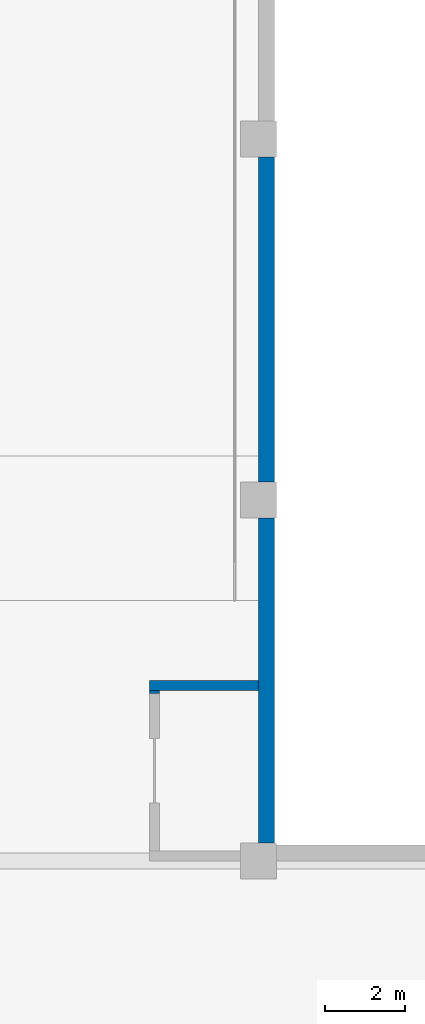
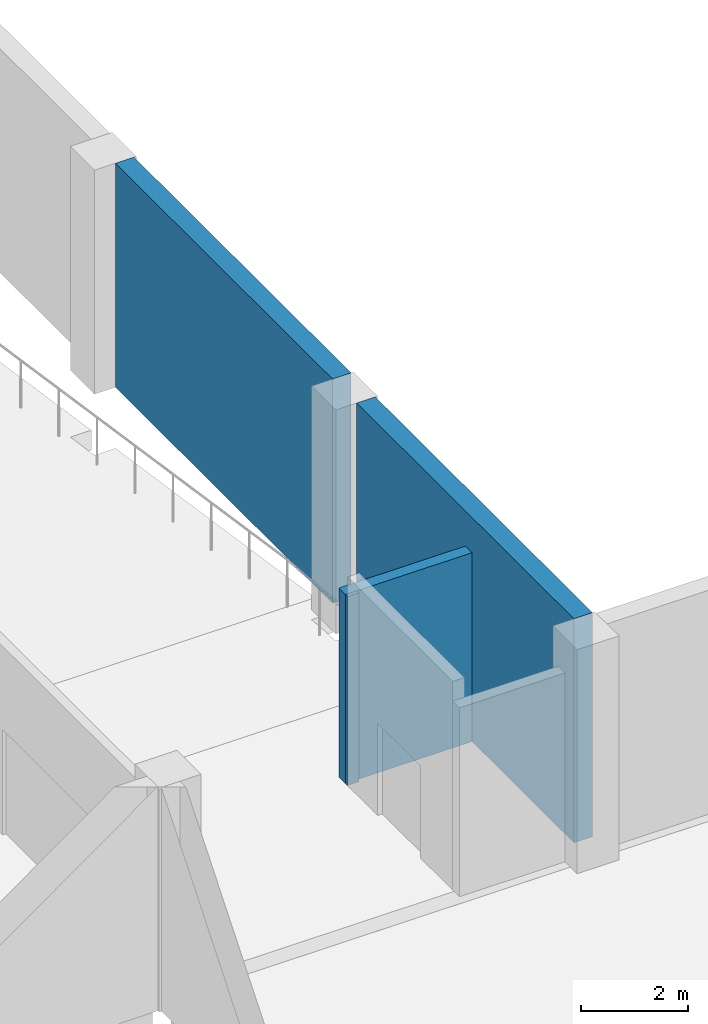
# One storey, part 6 of 16: 4 walls.
"""IFC4 building model written with IfcOpenShell, lengths in metres."""

import ifcopenshell
import ifcopenshell.guid

model = None  # the IFC model being written
_history = None  # IfcOwnerHistory: only IFC2X3 demands one
_inside = {}  # id of a spatial element -> (the spatial element, [elements in it])
_under = {}  # id of a project, library or spatial element -> (it, [spatial elements below it])
_declared = {}  # id of a project -> (the project, [libraries it declares])
_typed = {}  # id of a type object -> (the type object, [elements of that type])
_made_of = {}  # id of a material, layer set ... -> (it, [elements and type objects made of it])


def new_model(schema):
    """Start an empty IFC model of exactly this schema.

    Asked for "IFC4X3", IfcOpenShell would pick the latest addendum, in which some entities
    have other attributes; the version numbers below select the first issue.
    IFC2X3 requires an IfcOwnerHistory on every rooted entity: one is made here for all.
    """
    global model, _history
    if schema == "IFC4X3":
        model = ifcopenshell.file(schema_version=(4, 3, 0, 0))
    else:
        model = ifcopenshell.file(schema=schema)
    _inside.clear()
    _under.clear()
    _declared.clear()
    _typed.clear()
    _made_of.clear()
    _history = None
    if model.schema == "IFC2X3":
        org = make("IfcOrganization", Name="unknown")
        user = make(
            "IfcPersonAndOrganization",
            ThePerson=make("IfcPerson", FamilyName="unknown"),
            TheOrganization=org,
        )
        app = make(
            "IfcApplication",
            ApplicationDeveloper=org,
            Version="unknown",
            ApplicationFullName="unknown",
            ApplicationIdentifier="unknown",
        )
        _history = make(
            "IfcOwnerHistory",
            OwningUser=user,
            OwningApplication=app,
            ChangeAction="ADDED",
            CreationDate=0,
        )
    return model


def make(cls, **values):
    """One entity of the class cls with the attributes given. An attribute that is None is left unset."""
    return model.create_entity(
        cls, **{name: value for name, value in values.items() if value is not None}
    )


def rooted(cls, **values):
    """An entity with a GlobalId (a new one), such as an element, a storey or a relation."""
    return make(cls, GlobalId=ifcopenshell.guid.new(), OwnerHistory=_history, **values)


def si_unit(unit_type, name, prefix=None):
    """IfcSIUnit, for example si_unit("LENGTHUNIT", "METRE", prefix="MILLI")."""
    return make("IfcSIUnit", UnitType=unit_type, Prefix=prefix, Name=name)


def assignment(units):
    """IfcUnitAssignment: the units of a project."""
    return None if units is None else make("IfcUnitAssignment", Units=units)


def point(xyz):
    """IfcCartesianPoint."""
    return None if xyz is None else make("IfcCartesianPoint", Coordinates=xyz)


def direction(xyz):
    """IfcDirection."""
    return None if xyz is None else make("IfcDirection", DirectionRatios=xyz)


def frame(location, z_axis=None, x_axis=None):
    """IfcAxis2Placement3D, a coordinate frame: its origin and axes. An axis left out is left unset."""
    return make(
        "IfcAxis2Placement3D",
        Location=point(location),
        Axis=direction(z_axis),
        RefDirection=direction(x_axis),
    )


def frame_2d(location, x_axis=None):
    """IfcAxis2Placement2D, a coordinate frame in the plane: its origin and x axis."""
    return make(
        "IfcAxis2Placement2D", Location=point(location), RefDirection=direction(x_axis)
    )


def origin():
    """The frame at (0, 0, 0) with its axes left unset."""
    return frame((0.0, 0.0, 0.0))


def place(relative_to, where):
    """IfcLocalPlacement: puts the frame where relative to a parent placement (None: the world)."""
    return make(
        "IfcLocalPlacement", PlacementRelTo=relative_to, RelativePlacement=where
    )


def context(
    kind, dimensions, precision=None, world=None, true_north=None, identifier=None
):
    """IfcGeometricRepresentationContext, for example the 3D "Model" context."""
    return make(
        "IfcGeometricRepresentationContext",
        ContextIdentifier=identifier,
        ContextType=kind,
        CoordinateSpaceDimension=dimensions,
        Precision=precision,
        WorldCoordinateSystem=world,
        TrueNorth=true_north,
    )


def subcontext(parent, identifier, kind, view, scale=None):
    """IfcGeometricRepresentationSubContext, for example "Body" below "Model"."""
    return make(
        "IfcGeometricRepresentationSubContext",
        ContextIdentifier=identifier,
        ContextType=kind,
        ParentContext=parent,
        TargetScale=scale,
        TargetView=view,
    )


def project(units=None, contexts=None):
    """IfcProject with its units and contexts."""
    return rooted(
        "IfcProject",
        Name="project",
        RepresentationContexts=contexts,
        UnitsInContext=assignment(units),
    )


def spatial(cls, under=None, at=None, **own):
    """A site, building, storey or space (cls), placed at a placement, below another one or the project."""
    s = rooted(cls, ObjectPlacement=at, **own)
    if under is not None:
        _under.setdefault(under.id(), (under, []))[1].append(s)
    return s


def profile(cls, at=None, kind="AREA", **sizes):
    """A parametric profile (cls). Its sizes go by their IFC names, for example OverallWidth=200.0."""
    return make(cls, ProfileType=kind, Position=at, **sizes)


def rectangle(**sizes):
    """IfcRectangleProfileDef."""
    return profile("IfcRectangleProfileDef", **sizes)


def extrude(swept, where, along, depth):
    """IfcExtrudedAreaSolid: the profile swept, set in the frame where, extruded along a direction by depth."""
    return make(
        "IfcExtrudedAreaSolid",
        SweptArea=swept,
        Position=where,
        ExtrudedDirection=direction(along),
        Depth=depth,
    )


def shape(context_of_items, identifier, shape_type, items):
    """IfcShapeRepresentation: the items that make up one representation, for example the "Body"."""
    return make(
        "IfcShapeRepresentation",
        ContextOfItems=context_of_items,
        RepresentationIdentifier=identifier,
        RepresentationType=shape_type,
        Items=items,
    )


def material(Name=None, Category=None):
    """IfcMaterial."""
    return make("IfcMaterial", Name=Name, Category=Category)


def layer(
    of_material, thickness, ventilated=None, Name=None, Category=None, Priority=None
):
    """IfcMaterialLayer: one layer of a wall or slab, of a material (None: an air gap)."""
    return make(
        "IfcMaterialLayer",
        Material=of_material,
        LayerThickness=thickness,
        IsVentilated=ventilated,
        Name=Name,
        Category=Category,
        Priority=Priority,
    )


def layer_set(layers, Name=None):
    """IfcMaterialLayerSet."""
    return make("IfcMaterialLayerSet", MaterialLayers=layers, LayerSetName=Name)


def made_of(thing, what):
    """Note that an element or type object is made of a material, layer set ...; save() writes the relation."""
    if what is not None:
        _made_of.setdefault(what.id(), (what, []))[1].append(thing)
    return thing


def type_object(cls, material=None, **own):
    """A type object (cls), such as IfcWallType, which elements share."""
    return made_of(rooted(cls, **own), material)


def element(
    cls,
    number,
    at=None,
    inside=None,
    cuts=None,
    type_object=None,
    material=None,
    context=None,
    identifier="Body",
    shape_type=None,
    held_by="IfcProductDefinitionShape",
    body=None,
    shapes=None,
    **own,
):
    """One element of the class cls, such as IfcWall. Its Tag is "e" and its number.

    at: its placement. inside: the storey or other place that contains it. cuts: it is an
    opening in that element (IfcRelVoidsElement). A single representation is given by context,
    identifier, shape_type and body (its items); several are given by shapes. held_by: the class
    of the entity that holds the representations. save() writes the other relations.
    """
    e = rooted(cls, Tag="e%d" % number, ObjectPlacement=at, **own)
    if body is not None:
        shapes = [shape(context, identifier, shape_type, body)]
    if shapes is not None:
        e.Representation = make(held_by, Representations=shapes)
    if inside is not None:
        _inside.setdefault(inside.id(), (inside, []))[1].append(e)
    if cuts is not None:
        rooted(
            "IfcRelVoidsElement", RelatingBuildingElement=cuts, RelatedOpeningElement=e
        )
    if type_object is not None:
        _typed.setdefault(type_object.id(), (type_object, []))[1].append(e)
    return made_of(e, material)


def aggregate(whole, parts):
    """IfcRelAggregates: a whole, such as a stair, and the parts it consists of."""
    return rooted("IfcRelAggregates", RelatingObject=whole, RelatedObjects=parts)


def save(model, path):
    """Write the relations noted so far, then the file.

    IfcRelAggregates (storeys below a building ...), IfcRelContainedInSpatialStructure (elements
    in a storey), IfcRelDefinesByType, IfcRelAssociatesMaterial and IfcRelDeclares: one each for
    every whole, place, type object, material and project.
    """
    for whole, parts in _under.values():
        aggregate(whole, parts)
    for where, things in _inside.values():
        rooted(
            "IfcRelContainedInSpatialStructure",
            RelatedElements=things,
            RelatingStructure=where,
        )
    for kind, things in _typed.values():
        rooted("IfcRelDefinesByType", RelatedObjects=things, RelatingType=kind)
    for what, things in _made_of.values():
        rooted("IfcRelAssociatesMaterial", RelatedObjects=things, RelatingMaterial=what)
    for by, libraries in _declared.values():
        rooted("IfcRelDeclares", RelatingContext=by, RelatedDefinitions=libraries)
    model.write(path)


model = new_model("IFC4")

# Units and contexts
model_context = context("Model", 3, precision=1e-05, world=origin(), true_north=direction((0.0, 1.0)))
body_context = subcontext(model_context, "Body", "Model", "MODEL_VIEW")
ifc_project = project(units=[si_unit("LENGTHUNIT", "METRE"), si_unit("AREAUNIT", "SQUARE_METRE"), si_unit("VOLUMEUNIT", "CUBIC_METRE"), si_unit("PLANEANGLEUNIT", "RADIAN"), si_unit("MASSUNIT", "GRAM", prefix="KILO")], contexts=[model_context])

# Site, building, storey
site_placement = place(None, origin())
site = spatial("IfcSite", under=ifc_project, at=site_placement, CompositionType="ELEMENT")
building_placement = place(site_placement, origin())
building = spatial("IfcBuilding", under=site, at=building_placement, Name="Guidao Yard Department Store", CompositionType="ELEMENT")
storey_placement = place(building_placement, frame((0.0, 0.0, -5.10009765625)))
storey = spatial("IfcBuildingStorey", under=building, at=storey_placement, Name="B1", CompositionType="ELEMENT", Elevation=-5.10009765625)

# Walls
ifc_material_1 = material(Name="Concrete C40", Category="concrete")
ifc_layer_1 = layer(ifc_material_1, 0.39990234375)
ifc_layer_set_1 = layer_set([ifc_layer_1], Name="Retaining wall 400 C40")
wall_type_1 = type_object("IfcWallType", Name="Retaining wall 400 C40", PredefinedType="SOLIDWALL", material=ifc_layer_set_1)
for number, where, z_axis, x_axis, name in (
    (1, (108.199951171875, 45.449951171875, 0.0), (0.0, 0.0, 1.0), (0.0, 1.0, 0.0), "Retaining wall B1-036"),
    (2, (108.199951171875, 54.449951171875, 0.0), (0.0, 0.0, 1.0), (0.0, 1.0, 0.0), "Retaining wall B1-038"),
):
    element("IfcWall", number, at=place(storey_placement, frame(where, z_axis=z_axis, x_axis=x_axis)), inside=storey, type_object=wall_type_1, Name=name, PredefinedType="SOLIDWALL", context=body_context, shape_type="SweptSolid", body=[
        extrude(rectangle(XDim=8.10009765625, YDim=0.39990234375, at=frame_2d((4.050048828125, 0.0))), origin(), (0.0, 0.0, 1.0), 5.10009765625),
    ])
ifc_material_2 = material(Name="Concrete C40", Category="concrete")
ifc_layer_2 = layer(ifc_material_2, 0.25)
ifc_layer_set_2 = layer_set([ifc_layer_2], Name="Support Wall 250 Concrete C40")
wall_type_2 = type_object("IfcWallType", Name="Support Wall 250 Concrete C40", PredefinedType="SOLIDWALL", material=ifc_layer_set_2)
wall_1_placement = place(storey_placement, frame((105.27490234375, 49.375, 0.0), z_axis=(0.0, 0.0, 1.0), x_axis=(1.0, 0.0, 0.0)))
element("IfcWall", 3, at=wall_1_placement, inside=storey, type_object=wall_type_2, Name="pt.wall.B1.0010", PredefinedType="SOLIDWALL", context=body_context, shape_type="SweptSolid", body=[
    extrude(rectangle(XDim=2.72509765625, YDim=0.25, at=frame_2d((1.362548828125, 0.0))), origin(), (0.0, 0.0, 1.0), 4.300048828125),
])
wall_2_placement = place(storey_placement, frame((105.39990234375, 49.175048828125, 0.0), z_axis=(0.0, 0.0, 1.0), x_axis=(0.0, 1.0, 0.0)))
element("IfcWall", 4, at=wall_2_placement, inside=storey, type_object=wall_type_2, Name="pt.wall.B1.0067a", PredefinedType="SOLIDWALL", context=body_context, shape_type="SweptSolid", body=[
    extrude(rectangle(XDim=0.074951171875, YDim=0.25, at=frame_2d((0.03759765625, 0.0))), origin(), (0.0, 0.0, 1.0), 4.300048828125),
])

save(model, "model.ifc")
